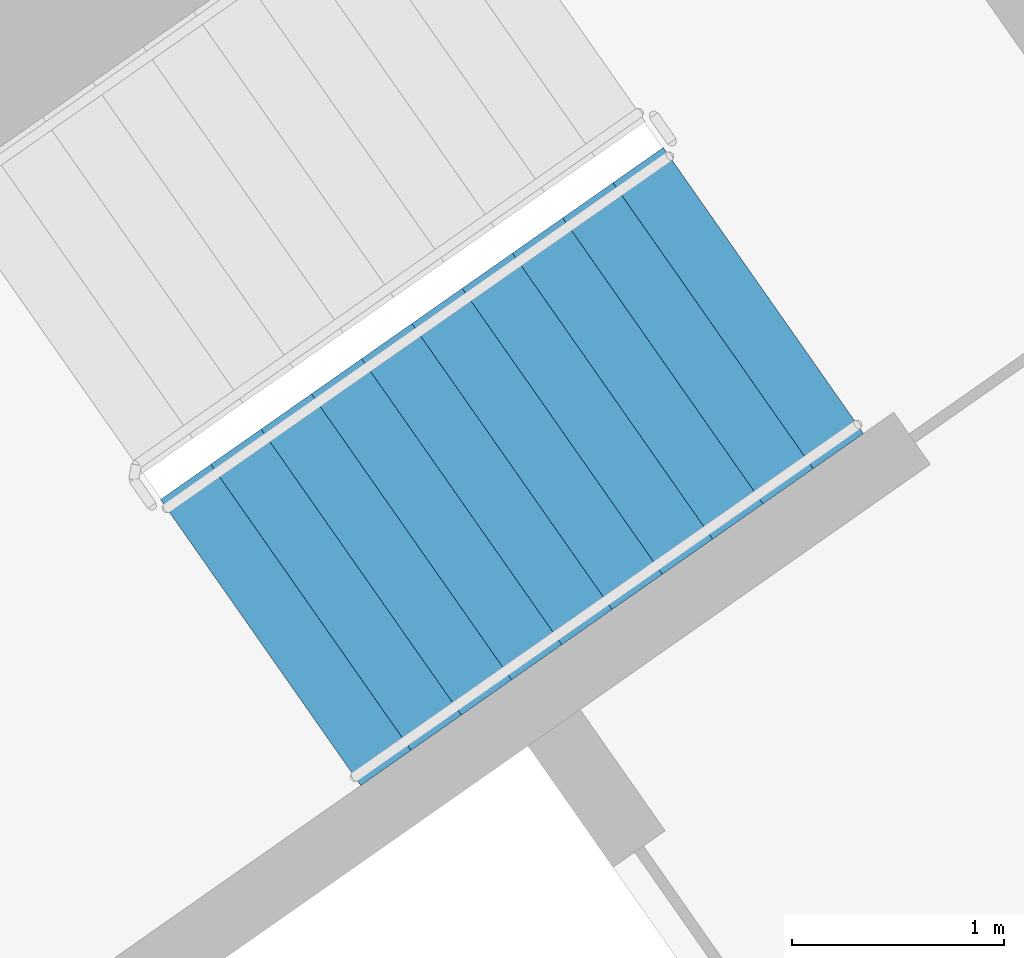
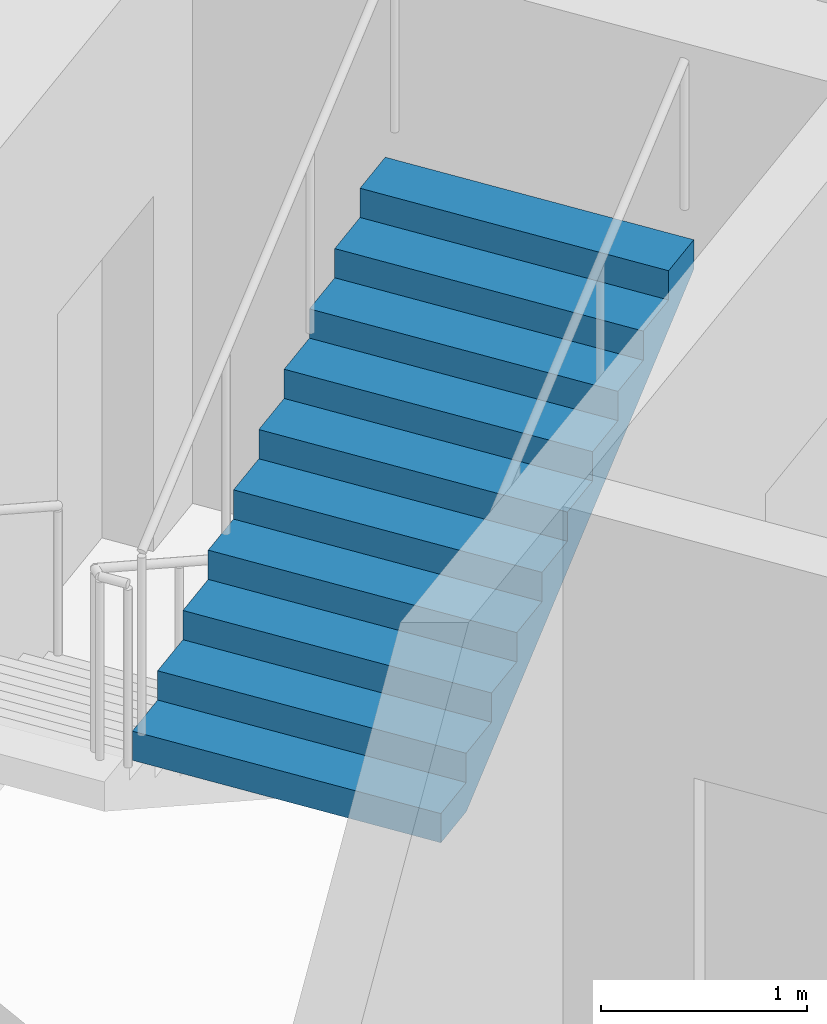
# One storey, part 15 of 27: 1 stair flight, 1 element without a shape of its own.
"""IFC4 building model written with IfcOpenShell, lengths in metres."""

from ifc_helpers import new_model, si_unit, direction, frame, origin, place, context, subcontext, project, spatial, faceted_brep, material, type_object, element, aggregate, save


model = new_model("IFC4")

# Units and contexts
model_context = context("Model", 3, precision=1e-05, world=origin(), true_north=direction((0.0, 1.0)))
body_context = subcontext(model_context, "Body", "Model", "MODEL_VIEW")
ifc_project = project(units=[si_unit("LENGTHUNIT", "METRE"), si_unit("AREAUNIT", "SQUARE_METRE"), si_unit("VOLUMEUNIT", "CUBIC_METRE"), si_unit("PLANEANGLEUNIT", "RADIAN"), si_unit("MASSUNIT", "GRAM", prefix="KILO")], contexts=[model_context])

# Site, building, storey
site_placement = place(None, origin())
site = spatial("IfcSite", under=ifc_project, at=site_placement, CompositionType="ELEMENT")
building_placement = place(site_placement, origin())
building = spatial("IfcBuilding", under=site, at=building_placement, Name="Qamariyya Broadcast Tower", CompositionType="ELEMENT")
storey_placement = place(building_placement, frame((0.0, 0.0, 237.89990234375)))
storey = spatial("IfcBuildingStorey", under=building, at=storey_placement, Name="L57", CompositionType="ELEMENT", Elevation=237.89990234375)

# Stair, stair flight
ifc_material = material(Name="Concrete C50/60", Category="concrete")
stair_type = type_object("IfcStairType", Name="Exit stair 22 risers of 173 mm", PredefinedType="HALF_TURN_STAIR", material=ifc_material)
stair_placement = place(storey_placement, origin())
stair = element("IfcStair", 1, at=stair_placement, inside=storey, type_object=stair_type, Name="L57 Stair E2", PredefinedType="HALF_TURN_STAIR")
stair_flight_type = type_object("IfcStairFlightType", Name="Exit stair flight 11 risers of 173 mm", PredefinedType="STRAIGHT", material=ifc_material)
stair_flight_placement = place(storey_placement, frame((39.215576171875, -50.822998046875, 1.900146484375), z_axis=(0.0, 0.0, 1.0), x_axis=(0.819152044289, 0.573576436351, 0.0)))
stair_flight = element("IfcStairFlight", 2, at=stair_flight_placement, type_object=stair_flight_type, Name="ST-E2 flight 2", NumberOfRisers=11, NumberOfTreads=10, PredefinedType="STRAIGHT", RiserHeight=0.172727273, TreadLength=0.29, context=body_context, shape_type="Brep", body=[
    faceted_brep([(0.0, 0.824951171875, 0.0), (0.0, 0.824951171875, 0.172607421875), (0.2900390625, 0.824951171875, 0.172607421875), (0.2900390625, 0.824951171875, 0.345458984375), (0.580078125, 0.824951171875, 0.345458984375), (0.580078125, 0.824951171875, 0.51806640625), (0.8701171875, 0.824951171875, 0.51806640625), (0.8701171875, 0.824951171875, 0.69091796875), (1.159912109375, 0.824951171875, 0.69091796875), (1.159912109375, 0.824951171875, 0.863525390625), (1.449951171875, 0.824951171875, 0.863525390625), (1.449951171875, 0.824951171875, 1.036376953125), (1.739990234375, 0.824951171875, 1.036376953125), (1.739990234375, 0.824951171875, 1.208984375), (2.030029296875, 0.824951171875, 1.208984375), (2.030029296875, 0.824951171875, 1.3818359375), (2.320068359375, 0.824951171875, 1.3818359375), (2.320068359375, 0.824951171875, 1.554443359375), (2.610107421875, 0.824951171875, 1.554443359375), (2.610107421875, 0.824951171875, 1.727294921875), (2.89990234375, 0.824951171875, 1.727294921875), (2.89990234375, 0.824951171875, 1.552734375), (0.29296875, 0.824951171875, 0.0), (0.29296875, -0.824951171875, 0.0), (2.89990234375, -0.824951171875, 1.552734375), (2.89990234375, -0.824951171875, 1.727294921875), (2.610107421875, -0.824951171875, 1.727294921875), (2.610107421875, -0.824951171875, 1.554443359375), (2.320068359375, -0.824951171875, 1.554443359375), (2.320068359375, -0.824951171875, 1.3818359375), (2.030029296875, -0.824951171875, 1.3818359375), (2.030029296875, -0.824951171875, 1.208984375), (1.739990234375, -0.824951171875, 1.208984375), (1.739990234375, -0.824951171875, 1.036376953125), (1.449951171875, -0.824951171875, 1.036376953125), (1.449951171875, -0.824951171875, 0.863525390625), (1.159912109375, -0.824951171875, 0.863525390625), (1.159912109375, -0.824951171875, 0.69091796875), (0.8701171875, -0.824951171875, 0.69091796875), (0.8701171875, -0.824951171875, 0.51806640625), (0.580078125, -0.824951171875, 0.51806640625), (0.580078125, -0.824951171875, 0.345458984375), (0.2900390625, -0.824951171875, 0.345458984375), (0.2900390625, -0.824951171875, 0.172607421875), (0.0, -0.824951171875, 0.172607421875), (0.0, -0.824951171875, 0.0), (0.0, 0.10009765625, 0.0), (0.0, 0.086669921875, 0.0), (0.0, 0.0732421875, 0.0), (0.0, 0.06005859375, 0.0), (0.0, 0.046630859375, 0.0), (0.0, 0.033447265625, 0.0), (0.0, 0.02001953125, 0.0), (0.0, 0.006591796875, 0.0), (0.0, -0.006591796875, 0.0), (0.0, -0.02001953125, 0.0), (0.0, -0.033447265625, 0.0), (0.0, -0.046630859375, 0.0), (0.0, -0.06005859375, 0.0), (0.0, -0.0732421875, 0.0), (0.0, -0.086669921875, 0.0), (0.0, -0.10009765625, 0.0), (0.0, -0.10009765625, 0.172607421875), (0.0, -0.086669921875, 0.172607421875), (0.0, -0.0732421875, 0.172607421875), (0.0, -0.06005859375, 0.172607421875), (0.0, -0.046630859375, 0.172607421875), (0.0, -0.033447265625, 0.172607421875), (0.0, -0.02001953125, 0.172607421875), (0.0, -0.006591796875, 0.172607421875), (0.0, 0.006591796875, 0.172607421875), (0.0, 0.02001953125, 0.172607421875), (0.0, 0.033447265625, 0.172607421875), (0.0, 0.046630859375, 0.172607421875), (0.0, 0.06005859375, 0.172607421875), (0.0, 0.0732421875, 0.172607421875), (0.0, 0.086669921875, 0.172607421875), (0.0, 0.10009765625, 0.172607421875), (0.2900390625, -0.10009765625, 0.172607421875), (0.2900390625, -0.086669921875, 0.172607421875), (0.2900390625, -0.0732421875, 0.172607421875), (0.2900390625, -0.06005859375, 0.172607421875), (0.2900390625, -0.046630859375, 0.172607421875), (0.2900390625, -0.033447265625, 0.172607421875), (0.2900390625, -0.02001953125, 0.172607421875), (0.2900390625, -0.006591796875, 0.172607421875), (0.2900390625, 0.006591796875, 0.172607421875), (0.2900390625, 0.02001953125, 0.172607421875), (0.2900390625, 0.033447265625, 0.172607421875), (0.2900390625, 0.046630859375, 0.172607421875), (0.2900390625, 0.06005859375, 0.172607421875), (0.2900390625, 0.0732421875, 0.172607421875), (0.2900390625, 0.086669921875, 0.172607421875), (0.2900390625, 0.10009765625, 0.172607421875), (0.2900390625, -0.10009765625, 0.345458984375), (0.2900390625, -0.086669921875, 0.345458984375), (0.2900390625, -0.0732421875, 0.345458984375), (0.2900390625, -0.06005859375, 0.345458984375), (0.2900390625, -0.046630859375, 0.345458984375), (0.2900390625, -0.033447265625, 0.345458984375), (0.2900390625, -0.02001953125, 0.345458984375), (0.2900390625, -0.006591796875, 0.345458984375), (0.2900390625, 0.006591796875, 0.345458984375), (0.2900390625, 0.02001953125, 0.345458984375), (0.2900390625, 0.033447265625, 0.345458984375), (0.2900390625, 0.046630859375, 0.345458984375), (0.2900390625, 0.06005859375, 0.345458984375), (0.2900390625, 0.0732421875, 0.345458984375), (0.2900390625, 0.086669921875, 0.345458984375), (0.2900390625, 0.10009765625, 0.345458984375), (0.580078125, -0.10009765625, 0.345458984375), (0.580078125, -0.086669921875, 0.345458984375), (0.580078125, -0.0732421875, 0.345458984375), (0.580078125, -0.06005859375, 0.345458984375), (0.580078125, -0.046630859375, 0.345458984375), (0.580078125, -0.033447265625, 0.345458984375), (0.580078125, -0.02001953125, 0.345458984375), (0.580078125, -0.006591796875, 0.345458984375), (0.580078125, 0.006591796875, 0.345458984375), (0.580078125, 0.02001953125, 0.345458984375), (0.580078125, 0.033447265625, 0.345458984375), (0.580078125, 0.046630859375, 0.345458984375), (0.580078125, 0.06005859375, 0.345458984375), (0.580078125, 0.0732421875, 0.345458984375), (0.580078125, 0.086669921875, 0.345458984375), (0.580078125, 0.10009765625, 0.345458984375), (0.580078125, -0.10009765625, 0.51806640625), (0.580078125, -0.086669921875, 0.51806640625), (0.580078125, -0.0732421875, 0.51806640625), (0.580078125, -0.06005859375, 0.51806640625), (0.580078125, -0.046630859375, 0.51806640625), (0.580078125, -0.033447265625, 0.51806640625), (0.580078125, -0.02001953125, 0.51806640625), (0.580078125, -0.006591796875, 0.51806640625), (0.580078125, 0.006591796875, 0.51806640625), (0.580078125, 0.02001953125, 0.51806640625), (0.580078125, 0.033447265625, 0.51806640625), (0.580078125, 0.046630859375, 0.51806640625), (0.580078125, 0.06005859375, 0.51806640625), (0.580078125, 0.0732421875, 0.51806640625), (0.580078125, 0.086669921875, 0.51806640625), (0.580078125, 0.10009765625, 0.51806640625), (0.8701171875, -0.10009765625, 0.51806640625), (0.8701171875, -0.086669921875, 0.51806640625), (0.8701171875, -0.0732421875, 0.51806640625), (0.8701171875, -0.06005859375, 0.51806640625), (0.8701171875, -0.046630859375, 0.51806640625), (0.8701171875, -0.033447265625, 0.51806640625), (0.8701171875, -0.02001953125, 0.51806640625), (0.8701171875, -0.006591796875, 0.51806640625), (0.8701171875, 0.006591796875, 0.51806640625), (0.8701171875, 0.02001953125, 0.51806640625), (0.8701171875, 0.033447265625, 0.51806640625), (0.8701171875, 0.046630859375, 0.51806640625), (0.8701171875, 0.06005859375, 0.51806640625), (0.8701171875, 0.0732421875, 0.51806640625), (0.8701171875, 0.086669921875, 0.51806640625), (0.8701171875, 0.10009765625, 0.51806640625), (0.8701171875, -0.10009765625, 0.69091796875), (0.8701171875, -0.086669921875, 0.69091796875), (0.8701171875, -0.0732421875, 0.69091796875), (0.8701171875, -0.06005859375, 0.69091796875), (0.8701171875, -0.046630859375, 0.69091796875), (0.8701171875, -0.033447265625, 0.69091796875), (0.8701171875, -0.02001953125, 0.69091796875), (0.8701171875, -0.006591796875, 0.69091796875), (0.8701171875, 0.006591796875, 0.69091796875), (0.8701171875, 0.02001953125, 0.69091796875), (0.8701171875, 0.033447265625, 0.69091796875), (0.8701171875, 0.046630859375, 0.69091796875), (0.8701171875, 0.06005859375, 0.69091796875), (0.8701171875, 0.0732421875, 0.69091796875), (0.8701171875, 0.086669921875, 0.69091796875), (0.8701171875, 0.10009765625, 0.69091796875), (1.159912109375, -0.10009765625, 0.69091796875), (1.159912109375, -0.086669921875, 0.69091796875), (1.159912109375, -0.0732421875, 0.69091796875), (1.159912109375, -0.06005859375, 0.69091796875), (1.159912109375, -0.046630859375, 0.69091796875), (1.159912109375, -0.033447265625, 0.69091796875), (1.159912109375, -0.02001953125, 0.69091796875), (1.159912109375, -0.006591796875, 0.69091796875), (1.159912109375, 0.006591796875, 0.69091796875), (1.159912109375, 0.02001953125, 0.69091796875), (1.159912109375, 0.033447265625, 0.69091796875), (1.159912109375, 0.046630859375, 0.69091796875), (1.159912109375, 0.06005859375, 0.69091796875), (1.159912109375, 0.0732421875, 0.69091796875), (1.159912109375, 0.086669921875, 0.69091796875), (1.159912109375, 0.10009765625, 0.69091796875), (1.159912109375, -0.10009765625, 0.863525390625), (1.159912109375, -0.086669921875, 0.863525390625), (1.159912109375, -0.0732421875, 0.863525390625), (1.159912109375, -0.06005859375, 0.863525390625), (1.159912109375, -0.046630859375, 0.863525390625), (1.159912109375, -0.033447265625, 0.863525390625), (1.159912109375, -0.02001953125, 0.863525390625), (1.159912109375, -0.006591796875, 0.863525390625), (1.159912109375, 0.006591796875, 0.863525390625), (1.159912109375, 0.02001953125, 0.863525390625), (1.159912109375, 0.033447265625, 0.863525390625), (1.159912109375, 0.046630859375, 0.863525390625), (1.159912109375, 0.06005859375, 0.863525390625), (1.159912109375, 0.0732421875, 0.863525390625), (1.159912109375, 0.086669921875, 0.863525390625), (1.159912109375, 0.10009765625, 0.863525390625), (1.449951171875, -0.10009765625, 0.863525390625), (1.449951171875, -0.086669921875, 0.863525390625), (1.449951171875, -0.0732421875, 0.863525390625), (1.449951171875, -0.06005859375, 0.863525390625), (1.449951171875, -0.046630859375, 0.863525390625), (1.449951171875, -0.033447265625, 0.863525390625), (1.449951171875, -0.02001953125, 0.863525390625), (1.449951171875, -0.006591796875, 0.863525390625), (1.449951171875, 0.006591796875, 0.863525390625), (1.449951171875, 0.02001953125, 0.863525390625), (1.449951171875, 0.033447265625, 0.863525390625), (1.449951171875, 0.046630859375, 0.863525390625), (1.449951171875, 0.06005859375, 0.863525390625), (1.449951171875, 0.0732421875, 0.863525390625), (1.449951171875, 0.086669921875, 0.863525390625), (1.449951171875, 0.10009765625, 0.863525390625), (1.449951171875, -0.10009765625, 1.036376953125), (1.449951171875, -0.086669921875, 1.036376953125), (1.449951171875, -0.0732421875, 1.036376953125), (1.449951171875, -0.06005859375, 1.036376953125), (1.449951171875, -0.046630859375, 1.036376953125), (1.449951171875, -0.033447265625, 1.036376953125), (1.449951171875, -0.02001953125, 1.036376953125), (1.449951171875, -0.006591796875, 1.036376953125), (1.449951171875, 0.006591796875, 1.036376953125), (1.449951171875, 0.02001953125, 1.036376953125), (1.449951171875, 0.033447265625, 1.036376953125), (1.449951171875, 0.046630859375, 1.036376953125), (1.449951171875, 0.06005859375, 1.036376953125), (1.449951171875, 0.0732421875, 1.036376953125), (1.449951171875, 0.086669921875, 1.036376953125), (1.449951171875, 0.10009765625, 1.036376953125), (1.739990234375, -0.10009765625, 1.036376953125), (1.739990234375, -0.086669921875, 1.036376953125), (1.739990234375, -0.0732421875, 1.036376953125), (1.739990234375, -0.06005859375, 1.036376953125), (1.739990234375, -0.046630859375, 1.036376953125), (1.739990234375, -0.033447265625, 1.036376953125), (1.739990234375, -0.02001953125, 1.036376953125), (1.739990234375, -0.006591796875, 1.036376953125), (1.739990234375, 0.006591796875, 1.036376953125), (1.739990234375, 0.02001953125, 1.036376953125), (1.739990234375, 0.033447265625, 1.036376953125), (1.739990234375, 0.046630859375, 1.036376953125), (1.739990234375, 0.06005859375, 1.036376953125), (1.739990234375, 0.0732421875, 1.036376953125), (1.739990234375, 0.086669921875, 1.036376953125), (1.739990234375, 0.10009765625, 1.036376953125), (1.739990234375, -0.10009765625, 1.208984375), (1.739990234375, -0.086669921875, 1.208984375), (1.739990234375, -0.0732421875, 1.208984375), (1.739990234375, -0.06005859375, 1.208984375), (1.739990234375, -0.046630859375, 1.208984375), (1.739990234375, -0.033447265625, 1.208984375), (1.739990234375, -0.02001953125, 1.208984375), (1.739990234375, -0.006591796875, 1.208984375), (1.739990234375, 0.006591796875, 1.208984375), (1.739990234375, 0.02001953125, 1.208984375), (1.739990234375, 0.033447265625, 1.208984375), (1.739990234375, 0.046630859375, 1.208984375), (1.739990234375, 0.06005859375, 1.208984375), (1.739990234375, 0.0732421875, 1.208984375), (1.739990234375, 0.086669921875, 1.208984375), (1.739990234375, 0.10009765625, 1.208984375), (2.030029296875, -0.10009765625, 1.208984375), (2.030029296875, -0.086669921875, 1.208984375), (2.030029296875, -0.0732421875, 1.208984375), (2.030029296875, -0.06005859375, 1.208984375), (2.030029296875, -0.046630859375, 1.208984375), (2.030029296875, -0.033447265625, 1.208984375), (2.030029296875, -0.02001953125, 1.208984375), (2.030029296875, -0.006591796875, 1.208984375), (2.030029296875, 0.006591796875, 1.208984375), (2.030029296875, 0.02001953125, 1.208984375), (2.030029296875, 0.033447265625, 1.208984375), (2.030029296875, 0.046630859375, 1.208984375), (2.030029296875, 0.06005859375, 1.208984375), (2.030029296875, 0.0732421875, 1.208984375), (2.030029296875, 0.086669921875, 1.208984375), (2.030029296875, 0.10009765625, 1.208984375), (2.030029296875, -0.10009765625, 1.3818359375), (2.030029296875, -0.086669921875, 1.3818359375), (2.030029296875, -0.0732421875, 1.3818359375), (2.030029296875, -0.06005859375, 1.3818359375), (2.030029296875, -0.046630859375, 1.3818359375), (2.030029296875, -0.033447265625, 1.3818359375), (2.030029296875, -0.02001953125, 1.3818359375), (2.030029296875, -0.006591796875, 1.3818359375), (2.030029296875, 0.006591796875, 1.3818359375), (2.030029296875, 0.02001953125, 1.3818359375), (2.030029296875, 0.033447265625, 1.3818359375), (2.030029296875, 0.046630859375, 1.3818359375), (2.030029296875, 0.06005859375, 1.3818359375), (2.030029296875, 0.0732421875, 1.3818359375), (2.030029296875, 0.086669921875, 1.3818359375), (2.030029296875, 0.10009765625, 1.3818359375), (2.320068359375, -0.10009765625, 1.3818359375), (2.320068359375, -0.086669921875, 1.3818359375), (2.320068359375, -0.0732421875, 1.3818359375), (2.320068359375, -0.06005859375, 1.3818359375), (2.320068359375, -0.046630859375, 1.3818359375), (2.320068359375, -0.033447265625, 1.3818359375), (2.320068359375, -0.02001953125, 1.3818359375), (2.320068359375, -0.006591796875, 1.3818359375), (2.320068359375, 0.006591796875, 1.3818359375), (2.320068359375, 0.02001953125, 1.3818359375), (2.320068359375, 0.033447265625, 1.3818359375), (2.320068359375, 0.046630859375, 1.3818359375), (2.320068359375, 0.06005859375, 1.3818359375), (2.320068359375, 0.0732421875, 1.3818359375), (2.320068359375, 0.086669921875, 1.3818359375), (2.320068359375, 0.10009765625, 1.3818359375), (2.320068359375, -0.10009765625, 1.554443359375), (2.320068359375, -0.086669921875, 1.554443359375), (2.320068359375, -0.0732421875, 1.554443359375), (2.320068359375, -0.06005859375, 1.554443359375), (2.320068359375, -0.046630859375, 1.554443359375), (2.320068359375, -0.033447265625, 1.554443359375), (2.320068359375, -0.02001953125, 1.554443359375), (2.320068359375, -0.006591796875, 1.554443359375), (2.320068359375, 0.006591796875, 1.554443359375), (2.320068359375, 0.02001953125, 1.554443359375), (2.320068359375, 0.033447265625, 1.554443359375), (2.320068359375, 0.046630859375, 1.554443359375), (2.320068359375, 0.06005859375, 1.554443359375), (2.320068359375, 0.0732421875, 1.554443359375), (2.320068359375, 0.086669921875, 1.554443359375), (2.320068359375, 0.10009765625, 1.554443359375), (2.610107421875, -0.10009765625, 1.554443359375), (2.610107421875, -0.086669921875, 1.554443359375), (2.610107421875, -0.0732421875, 1.554443359375), (2.610107421875, -0.06005859375, 1.554443359375), (2.610107421875, -0.046630859375, 1.554443359375), (2.610107421875, -0.033447265625, 1.554443359375), (2.610107421875, -0.02001953125, 1.554443359375), (2.610107421875, -0.006591796875, 1.554443359375), (2.610107421875, 0.006591796875, 1.554443359375), (2.610107421875, 0.02001953125, 1.554443359375), (2.610107421875, 0.033447265625, 1.554443359375), (2.610107421875, 0.046630859375, 1.554443359375), (2.610107421875, 0.06005859375, 1.554443359375), (2.610107421875, 0.0732421875, 1.554443359375), (2.610107421875, 0.086669921875, 1.554443359375), (2.610107421875, 0.10009765625, 1.554443359375), (2.610107421875, -0.10009765625, 1.727294921875), (2.610107421875, -0.086669921875, 1.727294921875), (2.610107421875, -0.0732421875, 1.727294921875), (2.610107421875, -0.06005859375, 1.727294921875), (2.610107421875, -0.046630859375, 1.727294921875), (2.610107421875, -0.033447265625, 1.727294921875), (2.610107421875, -0.02001953125, 1.727294921875), (2.610107421875, -0.006591796875, 1.727294921875), (2.610107421875, 0.006591796875, 1.727294921875), (2.610107421875, 0.02001953125, 1.727294921875), (2.610107421875, 0.033447265625, 1.727294921875), (2.610107421875, 0.046630859375, 1.727294921875), (2.610107421875, 0.06005859375, 1.727294921875), (2.610107421875, 0.0732421875, 1.727294921875), (2.610107421875, 0.086669921875, 1.727294921875), (2.610107421875, 0.10009765625, 1.727294921875), (2.89990234375, -0.10009765625, 1.727294921875), (2.89990234375, -0.086669921875, 1.727294921875), (2.89990234375, -0.0732421875, 1.727294921875), (2.89990234375, -0.06005859375, 1.727294921875), (2.89990234375, -0.046630859375, 1.727294921875), (2.89990234375, -0.033447265625, 1.727294921875), (2.89990234375, -0.02001953125, 1.727294921875), (2.89990234375, -0.006591796875, 1.727294921875), (2.89990234375, 0.006591796875, 1.727294921875), (2.89990234375, 0.02001953125, 1.727294921875), (2.89990234375, 0.033447265625, 1.727294921875), (2.89990234375, 0.046630859375, 1.727294921875), (2.89990234375, 0.06005859375, 1.727294921875), (2.89990234375, 0.0732421875, 1.727294921875), (2.89990234375, 0.086669921875, 1.727294921875), (2.89990234375, 0.10009765625, 1.727294921875), (2.89990234375, -0.10009765625, 1.552734375), (2.89990234375, -0.086669921875, 1.552734375), (2.89990234375, -0.0732421875, 1.552734375), (2.89990234375, -0.06005859375, 1.552734375), (2.89990234375, -0.046630859375, 1.552734375), (2.89990234375, -0.033447265625, 1.552734375), (2.89990234375, -0.02001953125, 1.552734375), (2.89990234375, -0.006591796875, 1.552734375), (2.89990234375, 0.006591796875, 1.552734375), (2.89990234375, 0.02001953125, 1.552734375), (2.89990234375, 0.033447265625, 1.552734375), (2.89990234375, 0.046630859375, 1.552734375), (2.89990234375, 0.06005859375, 1.552734375), (2.89990234375, 0.0732421875, 1.552734375), (2.89990234375, 0.086669921875, 1.552734375), (2.89990234375, 0.10009765625, 1.552734375), (0.29296875, -0.10009765625, 0.0), (0.29296875, -0.086669921875, 0.0), (0.29296875, -0.0732421875, 0.0), (0.29296875, -0.06005859375, 0.0), (0.29296875, -0.046630859375, 0.0), (0.29296875, -0.033447265625, 0.0), (0.29296875, -0.02001953125, 0.0), (0.29296875, -0.006591796875, 0.0), (0.29296875, 0.006591796875, 0.0), (0.29296875, 0.02001953125, 0.0), (0.29296875, 0.033447265625, 0.0), (0.29296875, 0.046630859375, 0.0), (0.29296875, 0.06005859375, 0.0), (0.29296875, 0.0732421875, 0.0), (0.29296875, 0.086669921875, 0.0), (0.29296875, 0.10009765625, 0.0)], [[[0, 1, 2, 3, 4, 5, 6, 7, 8, 9, 10, 11, 12, 13, 14, 15, 16, 17, 18, 19, 20, 21, 22]], [[23, 24, 25, 26, 27, 28, 29, 30, 31, 32, 33, 34, 35, 36, 37, 38, 39, 40, 41, 42, 43, 44, 45]], [[0, 46, 47, 48, 49, 50, 51, 52, 53, 54, 55, 56, 57, 58, 59, 60, 61, 45, 44, 62, 63, 64, 65, 66, 67, 68, 69, 70, 71, 72, 73, 74, 75, 76, 77, 1]], [[1, 77, 76, 75, 74, 73, 72, 71, 70, 69, 68, 67, 66, 65, 64, 63, 62, 44, 43, 78, 79, 80, 81, 82, 83, 84, 85, 86, 87, 88, 89, 90, 91, 92, 93, 2]], [[2, 93, 92, 91, 90, 89, 88, 87, 86, 85, 84, 83, 82, 81, 80, 79, 78, 43, 42, 94, 95, 96, 97, 98, 99, 100, 101, 102, 103, 104, 105, 106, 107, 108, 109, 3]], [[3, 109, 108, 107, 106, 105, 104, 103, 102, 101, 100, 99, 98, 97, 96, 95, 94, 42, 41, 110, 111, 112, 113, 114, 115, 116, 117, 118, 119, 120, 121, 122, 123, 124, 125, 4]], [[4, 125, 124, 123, 122, 121, 120, 119, 118, 117, 116, 115, 114, 113, 112, 111, 110, 41, 40, 126, 127, 128, 129, 130, 131, 132, 133, 134, 135, 136, 137, 138, 139, 140, 141, 5]], [[5, 141, 140, 139, 138, 137, 136, 135, 134, 133, 132, 131, 130, 129, 128, 127, 126, 40, 39, 142, 143, 144, 145, 146, 147, 148, 149, 150, 151, 152, 153, 154, 155, 156, 157, 6]], [[6, 157, 156, 155, 154, 153, 152, 151, 150, 149, 148, 147, 146, 145, 144, 143, 142, 39, 38, 158, 159, 160, 161, 162, 163, 164, 165, 166, 167, 168, 169, 170, 171, 172, 173, 7]], [[7, 173, 172, 171, 170, 169, 168, 167, 166, 165, 164, 163, 162, 161, 160, 159, 158, 38, 37, 174, 175, 176, 177, 178, 179, 180, 181, 182, 183, 184, 185, 186, 187, 188, 189, 8]], [[8, 189, 188, 187, 186, 185, 184, 183, 182, 181, 180, 179, 178, 177, 176, 175, 174, 37, 36, 190, 191, 192, 193, 194, 195, 196, 197, 198, 199, 200, 201, 202, 203, 204, 205, 9]], [[9, 205, 204, 203, 202, 201, 200, 199, 198, 197, 196, 195, 194, 193, 192, 191, 190, 36, 35, 206, 207, 208, 209, 210, 211, 212, 213, 214, 215, 216, 217, 218, 219, 220, 221, 10]], [[10, 221, 220, 219, 218, 217, 216, 215, 214, 213, 212, 211, 210, 209, 208, 207, 206, 35, 34, 222, 223, 224, 225, 226, 227, 228, 229, 230, 231, 232, 233, 234, 235, 236, 237, 11]], [[11, 237, 236, 235, 234, 233, 232, 231, 230, 229, 228, 227, 226, 225, 224, 223, 222, 34, 33, 238, 239, 240, 241, 242, 243, 244, 245, 246, 247, 248, 249, 250, 251, 252, 253, 12]], [[12, 253, 252, 251, 250, 249, 248, 247, 246, 245, 244, 243, 242, 241, 240, 239, 238, 33, 32, 254, 255, 256, 257, 258, 259, 260, 261, 262, 263, 264, 265, 266, 267, 268, 269, 13]], [[13, 269, 268, 267, 266, 265, 264, 263, 262, 261, 260, 259, 258, 257, 256, 255, 254, 32, 31, 270, 271, 272, 273, 274, 275, 276, 277, 278, 279, 280, 281, 282, 283, 284, 285, 14]], [[14, 285, 284, 283, 282, 281, 280, 279, 278, 277, 276, 275, 274, 273, 272, 271, 270, 31, 30, 286, 287, 288, 289, 290, 291, 292, 293, 294, 295, 296, 297, 298, 299, 300, 301, 15]], [[15, 301, 300, 299, 298, 297, 296, 295, 294, 293, 292, 291, 290, 289, 288, 287, 286, 30, 29, 302, 303, 304, 305, 306, 307, 308, 309, 310, 311, 312, 313, 314, 315, 316, 317, 16]], [[16, 317, 316, 315, 314, 313, 312, 311, 310, 309, 308, 307, 306, 305, 304, 303, 302, 29, 28, 318, 319, 320, 321, 322, 323, 324, 325, 326, 327, 328, 329, 330, 331, 332, 333, 17]], [[17, 333, 332, 331, 330, 329, 328, 327, 326, 325, 324, 323, 322, 321, 320, 319, 318, 28, 27, 334, 335, 336, 337, 338, 339, 340, 341, 342, 343, 344, 345, 346, 347, 348, 349, 18]], [[18, 349, 348, 347, 346, 345, 344, 343, 342, 341, 340, 339, 338, 337, 336, 335, 334, 27, 26, 350, 351, 352, 353, 354, 355, 356, 357, 358, 359, 360, 361, 362, 363, 364, 365, 19]], [[19, 365, 364, 363, 362, 361, 360, 359, 358, 357, 356, 355, 354, 353, 352, 351, 350, 26, 25, 366, 367, 368, 369, 370, 371, 372, 373, 374, 375, 376, 377, 378, 379, 380, 381, 20]], [[20, 381, 380, 379, 378, 377, 376, 375, 374, 373, 372, 371, 370, 369, 368, 367, 366, 25, 24, 382, 383, 384, 385, 386, 387, 388, 389, 390, 391, 392, 393, 394, 395, 396, 397, 21]], [[21, 397, 396, 395, 394, 393, 392, 391, 390, 389, 388, 387, 386, 385, 384, 383, 382, 24, 23, 398, 399, 400, 401, 402, 403, 404, 405, 406, 407, 408, 409, 410, 411, 412, 413, 22]], [[22, 413, 412, 411, 410, 409, 408, 407, 406, 405, 404, 403, 402, 401, 400, 399, 398, 23, 45, 61, 60, 59, 58, 57, 56, 55, 54, 53, 52, 51, 50, 49, 48, 47, 46, 0]]]),
])
aggregate(stair, [stair_flight])

save(model, "model.ifc")
